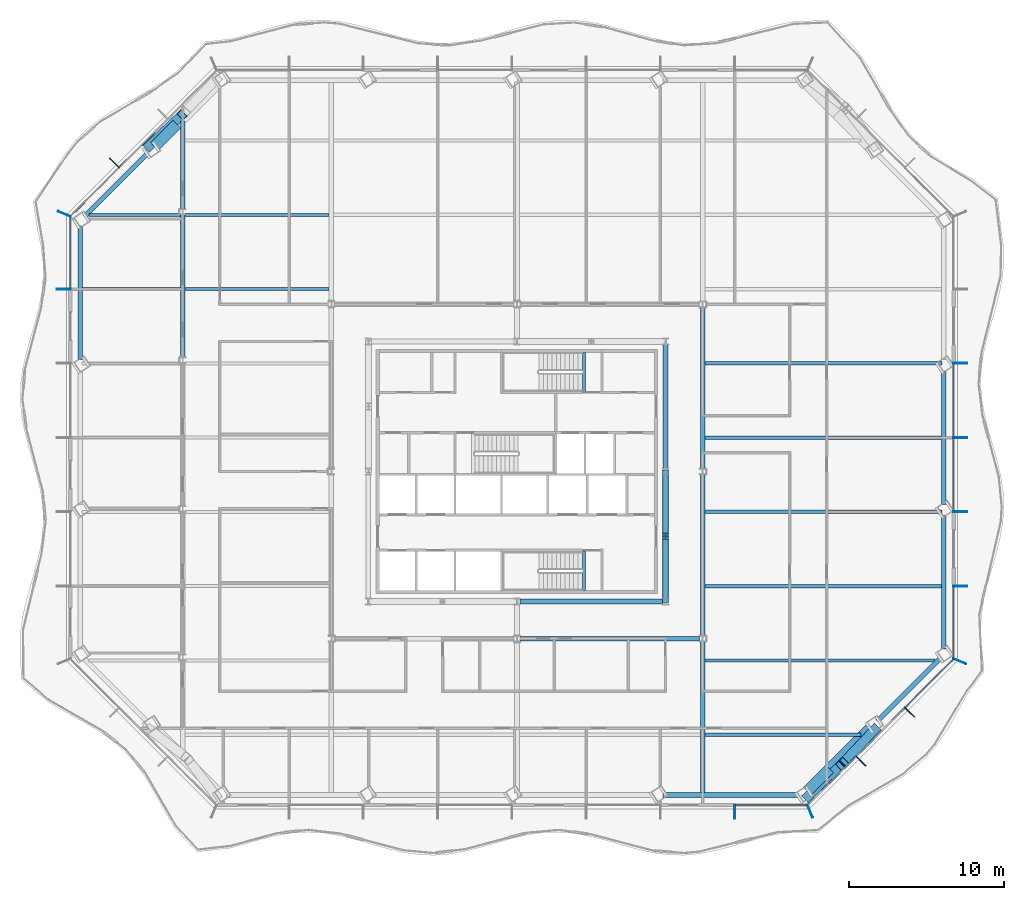
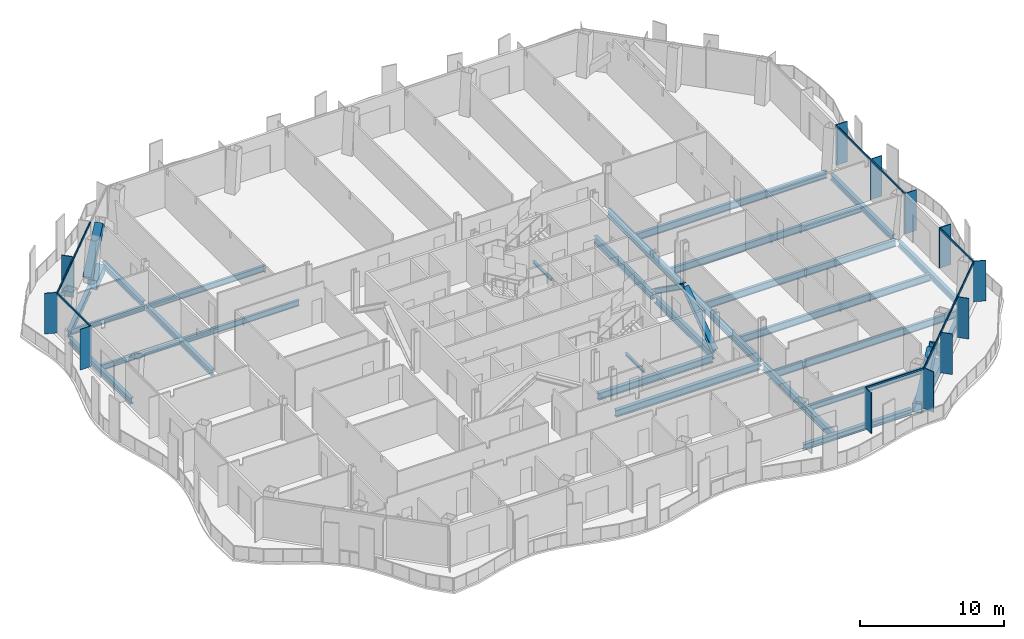
# One storey, part 4 of 22: 30 beams, 27 members, 5 elements without a shape of their own.
"""IFC4 building model written with IfcOpenShell, lengths in metres."""

from ifc_helpers import new_model, si_unit, direction, frame, origin, origin_2d, place, context, subcontext, project, spatial, rectangle, hollow_rectangle, i_section, extrude, material, material_profile, profile_set, type_object, element, aggregate, save


model = new_model("IFC4")

# Units and contexts
model_context = context("Model", 3, precision=1e-05, world=origin(), true_north=direction((0.0, 1.0)))
body_context = subcontext(model_context, "Body", "Model", "MODEL_VIEW")
ifc_project = project(units=[si_unit("LENGTHUNIT", "METRE"), si_unit("AREAUNIT", "SQUARE_METRE"), si_unit("VOLUMEUNIT", "CUBIC_METRE"), si_unit("PLANEANGLEUNIT", "RADIAN"), si_unit("MASSUNIT", "GRAM", prefix="KILO")], contexts=[model_context])

# Site, building, storey
site_placement = place(None, origin())
site = spatial("IfcSite", under=ifc_project, at=site_placement, CompositionType="ELEMENT")
building_placement = place(site_placement, origin())
building = spatial("IfcBuilding", under=site, at=building_placement, Name="Cairn Pilgrim Tower", CompositionType="ELEMENT")
storey_placement = place(building_placement, frame((0.0, 0.0, 112.199951171875)))
storey = spatial("IfcBuildingStorey", under=building, at=storey_placement, Name="L27", CompositionType="ELEMENT", Elevation=112.199951171875)

# Members
ifc_material_1 = material(Name="Structural steel S460M", Category="steel")
ifc_material_profile_1 = material_profile(ifc_material_1, hollow_rectangle(XDim=0.60009765625, YDim=0.60009765625, WallThickness=0.034912109375, at=origin_2d()), Name="BOX 600x600x35")
ifc_profile_set_1 = profile_set([ifc_material_profile_1], Name="Structural steel S460M")
member_type_1 = type_object("IfcMemberType", Name="BOX 600x600x35 BRACE", PredefinedType="BRACE", material=ifc_profile_set_1)
for number, where, z_axis, x_axis, name in (
    (1, (25.95068359375, -18.64453125, 0.150146484375), (0.543811951151, 0.515515845573, 0.662202366916), (-0.687973594381, 0.725735718725, 0.0), "XB-SE1-SE2-1"),
    (2, (30.373779296875, -14.22119140625, 0.150146484375), (-0.51547087325, -0.543829121148, 0.662223274902), (0.725776529566, -0.68793054092, 0.0), "XB-SE1-SE2-2"),
):
    element("IfcMember", number, at=place(storey_placement, frame(where, z_axis=z_axis, x_axis=x_axis)), inside=storey, type_object=member_type_1, Name=name, PredefinedType="BRACE", context=body_context, shape_type="SweptSolid", body=[
        extrude(hollow_rectangle(XDim=0.60009765625, YDim=0.60009765625, WallThickness=0.034912109375, at=origin_2d()), origin(), (0.0, 0.0, 1.0), 3.986083984375),
    ])
member_1_placement = place(storey_placement, frame((-16.614990234375, 23.393798828125, 0.150146484375), z_axis=(0.543800478802, 0.515538336643, 0.662194278672), x_axis=(-0.68799704673, 0.72571348595, 0.0)))
element("IfcMember", 3, at=member_1_placement, inside=storey, type_object=member_type_1, Name="XB-NW1-NW2-2", PredefinedType="BRACE", context=body_context, shape_type="SweptSolid", body=[
    extrude(hollow_rectangle(XDim=0.60009765625, YDim=0.60009765625, WallThickness=0.034912109375, at=origin_2d()), origin(), (0.0, 0.0, 1.0), 3.9736328125),
])

# Beams
ifc_material_2 = material(Name="Structural steel S355J2", Category="steel")
ifc_material_profile_2 = material_profile(ifc_material_2, hollow_rectangle(XDim=0.699951171875, YDim=0.800048828125, WallThickness=0.0400390625, at=origin_2d()), Name="BOX 700x800x40")
ifc_profile_set_2 = profile_set([ifc_material_profile_2], Name="Structural steel S355J2")
beam_type_1 = type_object("IfcBeamType", Name="BOX 700x800x40 RING GIRDER", PredefinedType="SPANDREL", material=ifc_profile_set_2)
beam_1_placement = place(storey_placement, frame((25.961181640625, -18.259033203125, -0.550048828125), z_axis=(0.707106781187, 0.707106781187, 0.0), x_axis=(-0.707106781187, 0.707106781187, 0.0)))
element("IfcBeam", 4, at=beam_1_placement, inside=storey, type_object=beam_type_1, Name="RG1-SE1-SE2-1", PredefinedType="SPANDREL", context=body_context, shape_type="SweptSolid", body=[
    extrude(hollow_rectangle(XDim=0.699951171875, YDim=0.800048828125, WallThickness=0.0400390625, at=origin_2d()), origin(), (0.0, 0.0, 1.0), 2.037109375),
])
beam_2_placement = place(storey_placement, frame((27.401611328125, -16.818603515625, -0.550048828125), z_axis=(0.707106781187, 0.707106781187, 0.0), x_axis=(-0.707106781187, 0.707106781187, 0.0)))
element("IfcBeam", 5, at=beam_2_placement, inside=storey, type_object=beam_type_1, Name="RG1-SE1-SE2-2", PredefinedType="SPANDREL", context=body_context, shape_type="SweptSolid", body=[
    extrude(hollow_rectangle(XDim=0.699951171875, YDim=0.800048828125, WallThickness=0.0400390625, at=origin_2d()), origin(), (0.0, 0.0, 1.0), 3.658447265625),
])
beam_3_placement = place(storey_placement, frame((-14.7890625, 24.844970703125, -0.550048828125), z_axis=(-0.707106781187, -0.707106781187, 0.0), x_axis=(0.707106781187, -0.707106781187, 0.0)))
element("IfcBeam", 6, at=beam_3_placement, inside=storey, type_object=beam_type_1, Name="RG1-NW1-NW2-2", PredefinedType="SPANDREL", context=body_context, shape_type="SweptSolid", body=[
    extrude(hollow_rectangle(XDim=0.699951171875, YDim=0.800048828125, WallThickness=0.0400390625, at=origin_2d()), origin(), (0.0, 0.0, 1.0), 2.037109375),
])

# Curtain wall, member
ifc_material_3 = material(Name="Aluminium alloy 6063-T6 bronze anodised with Bronze tinted laminated low-E glass 8+16+8.8", Category="aluminium")
curtain_wall_type_1 = type_object("IfcCurtainWallType", Name="TOWER STICK CURTAIN WALL NS", PredefinedType="NOTDEFINED", material=ifc_material_3)
curtain_wall_1_placement = place(storey_placement, origin())
curtain_wall_1 = element("IfcCurtainWall", 7, at=curtain_wall_1_placement, inside=storey, type_object=curtain_wall_type_1, Name="Tower Stick Curtain Wall Ns S", PredefinedType="NOTDEFINED")
ifc_material_4 = material(Name="Aluminium alloy 6063-T6 bronze anodised", Category="aluminium")
ifc_material_profile_3 = material_profile(ifc_material_4, rectangle(XDim=0.89990234375, YDim=0.06005859375, at=origin_2d()), Name="FIN MULLION 60x900 BRONZE")
ifc_profile_set_3 = profile_set([ifc_material_profile_3], Name="Aluminium alloy 6063-T6 bronze anodised")
member_type_2 = type_object("IfcMemberType", Name="FIN MULLION 60x900 BRONZE", PredefinedType="MULLION", material=ifc_profile_set_3)
member_2_placement = place(storey_placement, frame((21.279541015625, -19.583740234375, 0.0), z_axis=(0.0, 0.0, 1.0), x_axis=(0.0, -1.0, 0.0)))
member_2 = element("IfcMember", 8, at=member_2_placement, type_object=member_type_2, Name="Fin mullion S8", PredefinedType="MULLION", context=body_context, shape_type="SweptSolid", body=[
    extrude(rectangle(XDim=0.89990234375, YDim=0.06005859375, at=origin_2d()), origin(), (0.0, 0.0, 1.0), 3.449951171875),
])

# Curtain wall, members
curtain_wall_type_2 = type_object("IfcCurtainWallType", Name="CHAMFER CORNER CURTAIN WALL", PredefinedType="NOTDEFINED", material=ifc_material_3)
curtain_wall_2_placement = place(storey_placement, origin())
curtain_wall_2 = element("IfcCurtainWall", 9, at=curtain_wall_2_placement, inside=storey, type_object=curtain_wall_type_2, Name="Chamfer Corner Curtain Wall SE", PredefinedType="NOTDEFINED")
member_3_placement = place(storey_placement, frame((26.13671875, -19.5517578125, 0.0), z_axis=(0.0, 0.0, 1.0), x_axis=(0.382683432365, -0.923879532511, 0.0)))
member_3 = element("IfcMember", 10, at=member_3_placement, type_object=member_type_2, Name="Fin mullion SE1", PredefinedType="MULLION", context=body_context, shape_type="SweptSolid", body=[
    extrude(rectangle(XDim=0.89990234375, YDim=0.06005859375, at=origin_2d()), origin(), (0.0, 0.0, 1.0), 3.449951171875),
])
member_4_placement = place(storey_placement, frame((29.424072265625, -16.3095703125, 0.0), z_axis=(0.0, 0.0, 1.0), x_axis=(0.707106781187, -0.707106781187, 0.0)))
member_4 = element("IfcMember", 11, at=member_4_placement, type_object=member_type_2, Name="Fin mullion SE2", PredefinedType="MULLION", context=body_context, shape_type="SweptSolid", body=[
    extrude(rectangle(XDim=0.89990234375, YDim=0.06005859375, at=origin_2d()), origin(), (0.0, 0.0, 1.0), 3.449951171875),
])
member_5_placement = place(storey_placement, frame((32.5751953125, -13.158203125, 0.0), z_axis=(0.0, 0.0, 1.0), x_axis=(0.707106781187, -0.707106781187, 0.0)))
member_5 = element("IfcMember", 12, at=member_5_placement, type_object=member_type_2, Name="Fin mullion SE3", PredefinedType="MULLION", context=body_context, shape_type="SweptSolid", body=[
    extrude(rectangle(XDim=0.89990234375, YDim=0.06005859375, at=origin_2d()), origin(), (0.0, 0.0, 1.0), 3.449951171875),
])

curtain_wall_type_3 = type_object("IfcCurtainWallType", Name="TOWER STICK CURTAIN WALL EW", PredefinedType="NOTDEFINED", material=ifc_material_3)
curtain_wall_3_placement = place(storey_placement, origin())
curtain_wall_3 = element("IfcCurtainWall", 13, at=curtain_wall_3_placement, inside=storey, type_object=curtain_wall_type_3, Name="Tower Stick Curtain Wall Ew E", PredefinedType="NOTDEFINED")
member_6_placement = place(storey_placement, frame((35.817626953125, -9.870849609375, 0.0), z_axis=(0.0, 0.0, 1.0), x_axis=(0.923879532511, -0.382683432365, 0.0)))
member_6 = element("IfcMember", 14, at=member_6_placement, type_object=member_type_2, Name="Fin mullion E1", PredefinedType="MULLION", context=body_context, shape_type="SweptSolid", body=[
    extrude(rectangle(XDim=0.89990234375, YDim=0.06005859375, at=origin_2d()), origin(), (0.0, 0.0, 1.0), 3.449951171875),
])
member_7_placement = place(storey_placement, frame((35.849609375, -5.013671875, 0.0), z_axis=(0.0, 0.0, 1.0), x_axis=(1.0, 0.0, 0.0)))
member_7 = element("IfcMember", 15, at=member_7_placement, type_object=member_type_2, Name="Fin mullion E2", PredefinedType="MULLION", context=body_context, shape_type="SweptSolid", body=[
    extrude(rectangle(XDim=0.89990234375, YDim=0.06005859375, at=origin_2d()), origin(), (0.0, 0.0, 1.0), 3.449951171875),
])
member_8_placement = place(storey_placement, frame((35.849609375, -0.213623046875, 0.0), z_axis=(0.0, 0.0, 1.0), x_axis=(1.0, 0.0, 0.0)))
member_8 = element("IfcMember", 16, at=member_8_placement, type_object=member_type_2, Name="Fin mullion E3", PredefinedType="MULLION", context=body_context, shape_type="SweptSolid", body=[
    extrude(rectangle(XDim=0.89990234375, YDim=0.06005859375, at=origin_2d()), origin(), (0.0, 0.0, 1.0), 3.449951171875),
])
member_9_placement = place(storey_placement, frame((35.849609375, 4.58642578125, 0.0), z_axis=(0.0, 0.0, 1.0), x_axis=(1.0, 0.0, 0.0)))
member_9 = element("IfcMember", 17, at=member_9_placement, type_object=member_type_2, Name="Fin mullion E4", PredefinedType="MULLION", context=body_context, shape_type="SweptSolid", body=[
    extrude(rectangle(XDim=0.89990234375, YDim=0.06005859375, at=origin_2d()), origin(), (0.0, 0.0, 1.0), 3.449951171875),
])
member_10_placement = place(storey_placement, frame((35.849609375, 9.38623046875, 0.0), z_axis=(0.0, 0.0, 1.0), x_axis=(1.0, 0.0, 0.0)))
member_10 = element("IfcMember", 18, at=member_10_placement, type_object=member_type_2, Name="Fin mullion E5", PredefinedType="MULLION", context=body_context, shape_type="SweptSolid", body=[
    extrude(rectangle(XDim=0.89990234375, YDim=0.06005859375, at=origin_2d()), origin(), (0.0, 0.0, 1.0), 3.449951171875),
])

# Curtain wall, member
curtain_wall_4_placement = place(storey_placement, origin())
curtain_wall_4 = element("IfcCurtainWall", 19, at=curtain_wall_4_placement, inside=storey, type_object=curtain_wall_type_2, Name="Chamfer Corner Curtain Wall NW", PredefinedType="NOTDEFINED")
member_11_placement = place(storey_placement, frame((-18.81640625, 22.3310546875, 0.0), z_axis=(0.0, 0.0, 1.0), x_axis=(-0.707106781187, 0.707106781187, 0.0)))
member_11 = element("IfcMember", 20, at=member_11_placement, type_object=member_type_2, Name="Fin mullion NW3", PredefinedType="MULLION", context=body_context, shape_type="SweptSolid", body=[
    extrude(rectangle(XDim=0.89990234375, YDim=0.06005859375, at=origin_2d()), origin(), (0.0, 0.0, 1.0), 3.449951171875),
])

# Curtain wall, members
curtain_wall_5_placement = place(storey_placement, origin())
curtain_wall_5 = element("IfcCurtainWall", 21, at=curtain_wall_5_placement, inside=storey, type_object=curtain_wall_type_3, Name="Tower Stick Curtain Wall Ew W", PredefinedType="NOTDEFINED")
member_12_placement = place(storey_placement, frame((-22.05859375, 19.04345703125, 0.0), z_axis=(0.0, 0.0, 1.0), x_axis=(-0.923879532511, 0.382683432365, 0.0)))
member_12 = element("IfcMember", 22, at=member_12_placement, type_object=member_type_2, Name="Fin mullion W1", PredefinedType="MULLION", context=body_context, shape_type="SweptSolid", body=[
    extrude(rectangle(XDim=0.89990234375, YDim=0.06005859375, at=origin_2d()), origin(), (0.0, 0.0, 1.0), 3.449951171875),
])
member_13_placement = place(storey_placement, frame((-22.090576171875, 14.186279296875, 0.0), z_axis=(0.0, 0.0, 1.0), x_axis=(-1.0, 0.0, 0.0)))
member_13 = element("IfcMember", 23, at=member_13_placement, type_object=member_type_2, Name="Fin mullion W2", PredefinedType="MULLION", context=body_context, shape_type="SweptSolid", body=[
    extrude(rectangle(XDim=0.89990234375, YDim=0.06005859375, at=origin_2d()), origin(), (0.0, 0.0, 1.0), 3.449951171875),
])

# Members
ifc_material_profile_4 = material_profile(ifc_material_1, i_section(OverallWidth=0.408935546875, OverallDepth=0.425048828125, WebThickness=0.03271484375, FlangeThickness=0.052490234375, FilletRadius=0.014892578125, at=origin_2d()), Name="HD 400x421")
ifc_profile_set_4 = profile_set([ifc_material_profile_4], Name="Structural steel S460M")
member_type_3 = type_object("IfcMemberType", Name="HD 400x421 BRACE", PredefinedType="BRACE", material=ifc_profile_set_4)
for number, where, z_axis, x_axis, name in (
    (24, (16.800048828125, -5.95751953125, 0.10009765625), (0.0, 0.814281054922, 0.58047081201), (-1.0, 0.0, 0.0), "KB-2A"),
    (25, (16.800048828125, 2.357666015625, 0.10009765625), (0.0, -0.814281054922, 0.58047081201), (1.0, 0.0, 0.0), "KB-2B"),
):
    element("IfcMember", number, at=place(storey_placement, frame(where, z_axis=z_axis, x_axis=x_axis)), inside=storey, type_object=member_type_3, Name=name, PredefinedType="BRACE", context=body_context, shape_type="SweptSolid", body=[
        extrude(i_section(OverallWidth=0.408935546875, OverallDepth=0.425048828125, WebThickness=0.03271484375, FlangeThickness=0.052490234375, FilletRadius=0.014892578125, at=origin_2d()), origin(), (0.0, 0.0, 1.0), 4.99755859375),
    ])

# Beams
ifc_material_profile_5 = material_profile(ifc_material_2, i_section(OverallWidth=0.300048828125, OverallDepth=0.5, WebThickness=0.014404296875, FlangeThickness=0.028076171875, FilletRadius=0.027099609375, at=origin_2d()), Name="HEB 500")
ifc_profile_set_5 = profile_set([ifc_material_profile_5], Name="Structural steel S355J2")
beam_type_2 = type_object("IfcBeamType", Name="HEB 500 GIRDER", PredefinedType="BEAM", material=ifc_profile_set_5)
beam_4_placement = place(storey_placement, frame((-14.39990234375, 9.799560546875, -0.39990234375), z_axis=(0.0, 1.0, 0.0), x_axis=(-1.0, 0.0, 0.0)))
element("IfcBeam", 26, at=beam_4_placement, inside=storey, type_object=beam_type_2, Name="PG1-4", PredefinedType="BEAM", context=body_context, shape_type="SweptSolid", body=[
    extrude(i_section(OverallWidth=0.300048828125, OverallDepth=0.5, WebThickness=0.014404296875, FlangeThickness=0.028076171875, FilletRadius=0.027099609375, at=origin_2d()), origin(), (0.0, 0.0, 1.0), 9.200927734375),
])
beam_5_placement = place(storey_placement, frame((-14.39990234375, 19.3994140625, -0.39990234375), z_axis=(0.0, 1.0, 0.0), x_axis=(-1.0, 0.0, 0.0)))
element("IfcBeam", 27, at=beam_5_placement, inside=storey, type_object=beam_type_2, Name="PG1-5", PredefinedType="BEAM", context=body_context, shape_type="SweptSolid", body=[
    extrude(i_section(OverallWidth=0.300048828125, OverallDepth=0.5, WebThickness=0.014404296875, FlangeThickness=0.028076171875, FilletRadius=0.027099609375, at=origin_2d()), origin(), (0.0, 0.0, 1.0), 5.652587890625),
])
ifc_material_profile_6 = material_profile(ifc_material_2, i_section(OverallWidth=0.300048828125, OverallDepth=0.5, WebThickness=0.014404296875, FlangeThickness=0.028076171875, FilletRadius=0.027099609375, at=origin_2d()), Name="HEB 500")
ifc_profile_set_6 = profile_set([ifc_material_profile_6], Name="Structural steel S355J2")
beam_type_3 = type_object("IfcBeamType", Name="HEB 500 RING GIRDER", PredefinedType="SPANDREL", material=ifc_profile_set_6)
beam_6_placement = place(storey_placement, frame((16.653076171875, -18.513671875, -0.39990234375), z_axis=(1.0, 0.0, 0.0), x_axis=(0.0, 1.0, 0.0)))
element("IfcBeam", 28, at=beam_6_placement, inside=storey, type_object=beam_type_3, Name="RG1-S4-SE1", PredefinedType="SPANDREL", context=body_context, shape_type="SweptSolid", body=[
    extrude(i_section(OverallWidth=0.300048828125, OverallDepth=0.5, WebThickness=0.014404296875, FlangeThickness=0.028076171875, FilletRadius=0.027099609375, at=origin_2d()), origin(), (0.0, 0.0, 1.0), 8.693603515625),
])
beam_7_placement = place(storey_placement, frame((30.497802734375, -13.72265625, -0.39990234375), z_axis=(0.707085347538, 0.707128214185, 0.0), x_axis=(-0.707128214185, 0.707085347538, 0.0)))
element("IfcBeam", 29, at=beam_7_placement, inside=storey, type_object=beam_type_3, Name="RG1-SE2-E1", PredefinedType="SPANDREL", context=body_context, shape_type="SweptSolid", body=[
    extrude(i_section(OverallWidth=0.300048828125, OverallDepth=0.5, WebThickness=0.014404296875, FlangeThickness=0.028076171875, FilletRadius=0.027099609375, at=origin_2d()), origin(), (0.0, 0.0, 1.0), 5.6953125),
])
beam_8_placement = place(storey_placement, frame((34.779541015625, -9.080810546875, -0.39990234375), z_axis=(0.0, 1.0, 0.0), x_axis=(-1.0, 0.0, 0.0)))
element("IfcBeam", 30, at=beam_8_placement, inside=storey, type_object=beam_type_3, Name="RG1-E1-E2", PredefinedType="SPANDREL", context=body_context, shape_type="SweptSolid", body=[
    extrude(i_section(OverallWidth=0.300048828125, OverallDepth=0.5, WebThickness=0.014404296875, FlangeThickness=0.028076171875, FilletRadius=0.027099609375, at=origin_2d()), origin(), (0.0, 0.0, 1.0), 8.63134765625),
])
beam_9_placement = place(storey_placement, frame((34.779541015625, 0.2705078125, -0.39990234375), z_axis=(0.0, 1.0, 0.0), x_axis=(-1.0, 0.0, 0.0)))
element("IfcBeam", 31, at=beam_9_placement, inside=storey, type_object=beam_type_3, Name="RG1-E2-E3", PredefinedType="SPANDREL", context=body_context, shape_type="SweptSolid", body=[
    extrude(i_section(OverallWidth=0.300048828125, OverallDepth=0.5, WebThickness=0.014404296875, FlangeThickness=0.028076171875, FilletRadius=0.027099609375, at=origin_2d()), origin(), (0.0, 0.0, 1.0), 8.631591796875),
])
beam_10_placement = place(storey_placement, frame((-16.73876953125, 22.8955078125, -0.39990234375), z_axis=(-0.707085347538, -0.707128214185, 0.0), x_axis=(0.707128214185, -0.707085347538, 0.0)))
element("IfcBeam", 32, at=beam_10_placement, inside=storey, type_object=beam_type_3, Name="RG1-NW2-W1", PredefinedType="SPANDREL", context=body_context, shape_type="SweptSolid", body=[
    extrude(i_section(OverallWidth=0.300048828125, OverallDepth=0.5, WebThickness=0.014404296875, FlangeThickness=0.028076171875, FilletRadius=0.027099609375, at=origin_2d()), origin(), (0.0, 0.0, 1.0), 5.6953125),
])
beam_11_placement = place(storey_placement, frame((-21.0205078125, 18.25341796875, -0.39990234375), z_axis=(0.0, -1.0, 0.0), x_axis=(1.0, 0.0, 0.0)))
element("IfcBeam", 33, at=beam_11_placement, inside=storey, type_object=beam_type_3, Name="RG1-W1-W2", PredefinedType="SPANDREL", context=body_context, shape_type="SweptSolid", body=[
    extrude(i_section(OverallWidth=0.300048828125, OverallDepth=0.5, WebThickness=0.014404296875, FlangeThickness=0.028076171875, FilletRadius=0.027099609375, at=origin_2d()), origin(), (0.0, 0.0, 1.0), 8.63134765625),
])
ifc_material_profile_7 = material_profile(ifc_material_2, i_section(OverallWidth=0.300048828125, OverallDepth=0.60009765625, WebThickness=0.015380859375, FlangeThickness=0.030029296875, FilletRadius=0.027099609375, at=origin_2d()), Name="HEB 600")
ifc_profile_set_7 = profile_set([ifc_material_profile_7], Name="Structural steel S355J2")
beam_type_4 = type_object("IfcBeamType", Name="HEB 600 CORE BEAM", PredefinedType="BEAM", material=ifc_profile_set_7)
beam_12_placement = place(storey_placement, frame((7.390869140625, -6.0, -0.449951171875), z_axis=(1.0, 0.0, 0.0), x_axis=(0.0, 1.0, 0.0)))
element("IfcBeam", 34, at=beam_12_placement, inside=storey, type_object=beam_type_4, Name="CB-2", PredefinedType="BEAM", context=body_context, shape_type="SweptSolid", body=[
    extrude(i_section(OverallWidth=0.300048828125, OverallDepth=0.60009765625, WebThickness=0.015380859375, FlangeThickness=0.030029296875, FilletRadius=0.027099609375, at=origin_2d()), origin(), (0.0, 0.0, 1.0), 9.21826171875),
])
for number, where, z_axis, x_axis, name in (
    (35, (16.800048828125, -5.80908203125, -0.449951171875), (0.0, 1.0, 0.0), (-1.0, 0.0, 0.0), "CB-3"),
    (36, (16.800048828125, 2.5908203125, -0.449951171875), (0.0, 1.0, 0.0), (-1.0, 0.0, 0.0), "CB-4"),
):
    element("IfcBeam", number, at=place(storey_placement, frame(where, z_axis=z_axis, x_axis=x_axis)), inside=storey, type_object=beam_type_4, Name=name, PredefinedType="BEAM", context=body_context, shape_type="SweptSolid", body=[
        extrude(i_section(OverallWidth=0.300048828125, OverallDepth=0.60009765625, WebThickness=0.015380859375, FlangeThickness=0.030029296875, FilletRadius=0.027099609375, at=origin_2d()), origin(), (0.0, 0.0, 1.0), 8.018310546875),
    ])
ifc_material_profile_8 = material_profile(ifc_material_2, i_section(OverallWidth=0.300048828125, OverallDepth=0.60009765625, WebThickness=0.015380859375, FlangeThickness=0.030029296875, FilletRadius=0.027099609375, at=origin_2d()), Name="HEB 600")
ifc_profile_set_8 = profile_set([ifc_material_profile_8], Name="Structural steel S355J2")
beam_type_5 = type_object("IfcBeamType", Name="HEB 600 GIRDER", PredefinedType="BEAM", material=ifc_profile_set_8)
beam_13_placement = place(storey_placement, frame((19.199951171875, -18.393798828125, -0.449951171875), z_axis=(0.0, 1.0, 0.0), x_axis=(-1.0, 0.0, 0.0)))
element("IfcBeam", 37, at=beam_13_placement, inside=storey, type_object=beam_type_5, Name="PG4-1", PredefinedType="BEAM", context=body_context, shape_type="SweptSolid", body=[
    extrude(i_section(OverallWidth=0.300048828125, OverallDepth=0.60009765625, WebThickness=0.015380859375, FlangeThickness=0.030029296875, FilletRadius=0.027099609375, at=origin_2d()), origin(), (0.0, 0.0, 1.0), 9.789306640625),
])
for number, where, z_axis, x_axis, name in (
    (38, (19.199951171875, -8.195556640625, -0.449951171875), (0.0, 1.0, 0.0), (-1.0, 0.0, 0.0), "PG4-2"),
    (39, (19.199951171875, 2.6044921875, -0.449951171875), (0.0, 1.0, 0.0), (-1.0, 0.0, 0.0), "PG4-3"),
):
    element("IfcBeam", number, at=place(storey_placement, frame(where, z_axis=z_axis, x_axis=x_axis)), inside=storey, type_object=beam_type_5, Name=name, PredefinedType="BEAM", context=body_context, shape_type="SweptSolid", body=[
        extrude(i_section(OverallWidth=0.300048828125, OverallDepth=0.60009765625, WebThickness=0.015380859375, FlangeThickness=0.030029296875, FilletRadius=0.027099609375, at=origin_2d()), origin(), (0.0, 0.0, 1.0), 10.39111328125),
    ])
ifc_material_profile_9 = material_profile(ifc_material_2, i_section(OverallWidth=0.300048828125, OverallDepth=0.60009765625, WebThickness=0.015380859375, FlangeThickness=0.030029296875, FilletRadius=0.027099609375, at=origin_2d()), Name="HEB 600")
ifc_profile_set_9 = profile_set([ifc_material_profile_9], Name="Structural steel S355J2")
beam_type_6 = type_object("IfcBeamType", Name="HEB 600 INNER GIRDER", PredefinedType="BEAM", material=ifc_profile_set_9)
beam_14_placement = place(storey_placement, frame((7.404541015625, -8.39990234375, -0.449951171875), z_axis=(1.0, 0.0, 0.0), x_axis=(0.0, 1.0, 0.0)))
element("IfcBeam", 40, at=beam_14_placement, inside=storey, type_object=beam_type_6, Name="IG1-2", PredefinedType="BEAM", context=body_context, shape_type="SweptSolid", body=[
    extrude(i_section(OverallWidth=0.300048828125, OverallDepth=0.60009765625, WebThickness=0.015380859375, FlangeThickness=0.030029296875, FilletRadius=0.027099609375, at=origin_2d()), origin(), (0.0, 0.0, 1.0), 11.591064453125),
])
ifc_material_profile_10 = material_profile(ifc_material_2, i_section(OverallWidth=0.18994140625, OverallDepth=0.449951171875, WebThickness=0.009521484375, FlangeThickness=0.0146484375, FilletRadius=0.02099609375, at=origin_2d()), Name="IPE 450")
ifc_profile_set_10 = profile_set([ifc_material_profile_10], Name="Structural steel S355J2")
beam_type_7 = type_object("IfcBeamType", Name="IPE 450 SECONDARY BEAM", PredefinedType="JOIST", material=ifc_profile_set_10)
beam_15_placement = place(storey_placement, frame((-20.900390625, 14.186279296875, -0.375), z_axis=(1.0, 0.0, 0.0), x_axis=(0.0, 1.0, 0.0)))
element("IfcBeam", 41, at=beam_15_placement, inside=storey, type_object=beam_type_7, Name="SB7-1", PredefinedType="JOIST", context=body_context, shape_type="SweptSolid", body=[
    extrude(i_section(OverallWidth=0.18994140625, OverallDepth=0.449951171875, WebThickness=0.009521484375, FlangeThickness=0.0146484375, FilletRadius=0.02099609375, at=origin_2d()), origin(), (0.0, 0.0, 1.0), 6.350341796875),
])
beam_16_placement = place(storey_placement, frame((-20.465576171875, 18.986328125, -0.375), z_axis=(1.0, 0.0, 0.0), x_axis=(0.0, 1.0, 0.0)))
element("IfcBeam", 42, at=beam_16_placement, inside=storey, type_object=beam_type_7, Name="SB8-1", PredefinedType="JOIST", context=body_context, shape_type="SweptSolid", body=[
    extrude(i_section(OverallWidth=0.18994140625, OverallDepth=0.449951171875, WebThickness=0.009521484375, FlangeThickness=0.0146484375, FilletRadius=0.02099609375, at=origin_2d()), origin(), (0.0, 0.0, 1.0), 5.91552734375),
])
ifc_material_profile_11 = material_profile(ifc_material_2, i_section(OverallWidth=0.199951171875, OverallDepth=0.5, WebThickness=0.01025390625, FlangeThickness=0.01611328125, FilletRadius=0.02099609375, at=origin_2d()), Name="IPE 500")
ifc_profile_set_11 = profile_set([ifc_material_profile_11], Name="Structural steel S355J2")
beam_type_8 = type_object("IfcBeamType", Name="IPE 500 SECONDARY BEAM", PredefinedType="JOIST", material=ifc_profile_set_11)
beam_17_placement = place(storey_placement, frame((19.35009765625, -14.61376953125, -0.39990234375), z_axis=(1.0, 0.0, 0.0), x_axis=(0.0, 1.0, 0.0)))
element("IfcBeam", 43, at=beam_17_placement, inside=storey, type_object=beam_type_8, Name="SB1-4", PredefinedType="JOIST", context=body_context, shape_type="SweptSolid", body=[
    extrude(i_section(OverallWidth=0.199951171875, OverallDepth=0.5, WebThickness=0.01025390625, FlangeThickness=0.01611328125, FilletRadius=0.02099609375, at=origin_2d()), origin(), (0.0, 0.0, 1.0), 10.074462890625),
])
for number, where, z_axis, x_axis, name in (
    (44, (-14.25, 14.186279296875, -0.39990234375), (1.0, 0.0, 0.0), (0.0, 1.0, 0.0), "SB7-2"),
    (45, (-14.25, 18.986328125, -0.39990234375), (1.0, 0.0, 0.0), (0.0, 1.0, 0.0), "SB8-2"),
):
    element("IfcBeam", number, at=place(storey_placement, frame(where, z_axis=z_axis, x_axis=x_axis)), inside=storey, type_object=beam_type_8, Name=name, PredefinedType="JOIST", context=body_context, shape_type="SweptSolid", body=[
        extrude(i_section(OverallWidth=0.199951171875, OverallDepth=0.5, WebThickness=0.01025390625, FlangeThickness=0.01611328125, FilletRadius=0.02099609375, at=origin_2d()), origin(), (0.0, 0.0, 1.0), 9.300048828125),
    ])
ifc_material_profile_12 = material_profile(ifc_material_2, i_section(OverallWidth=0.219970703125, OverallDepth=0.60009765625, WebThickness=0.011962890625, FlangeThickness=0.01904296875, FilletRadius=0.02392578125, at=origin_2d()), Name="IPE 600")
ifc_profile_set_12 = profile_set([ifc_material_profile_12], Name="Structural steel S355J2")
beam_type_9 = type_object("IfcBeamType", Name="IPE 600 SECONDARY BEAM", PredefinedType="JOIST", material=ifc_profile_set_12)
beam_18_placement = place(storey_placement, frame((19.35009765625, -9.813720703125, -0.449951171875), z_axis=(1.0, 0.0, 0.0), x_axis=(0.0, 1.0, 0.0)))
element("IfcBeam", 46, at=beam_18_placement, inside=storey, type_object=beam_type_9, Name="SB2-3", PredefinedType="JOIST", context=body_context, shape_type="SweptSolid", body=[
    extrude(i_section(OverallWidth=0.219970703125, OverallDepth=0.60009765625, WebThickness=0.011962890625, FlangeThickness=0.01904296875, FilletRadius=0.02392578125, at=origin_2d()), origin(), (0.0, 0.0, 1.0), 14.87451171875),
])
for number, where, z_axis, x_axis, name in (
    (47, (19.35009765625, -5.013671875, -0.449951171875), (1.0, 0.0, 0.0), (0.0, 1.0, 0.0), "SB3-3"),
    (48, (19.35009765625, -0.213623046875, -0.449951171875), (1.0, 0.0, 0.0), (0.0, 1.0, 0.0), "SB4-3"),
    (49, (19.35009765625, 4.586181640625, -0.449951171875), (1.0, 0.0, 0.0), (0.0, 1.0, 0.0), "SB5-3"),
    (50, (19.35009765625, 9.38623046875, -0.449951171875), (1.0, 0.0, 0.0), (0.0, 1.0, 0.0), "SB6-3"),
):
    element("IfcBeam", number, at=place(storey_placement, frame(where, z_axis=z_axis, x_axis=x_axis)), inside=storey, type_object=beam_type_9, Name=name, PredefinedType="JOIST", context=body_context, shape_type="SweptSolid", body=[
        extrude(i_section(OverallWidth=0.219970703125, OverallDepth=0.60009765625, WebThickness=0.011962890625, FlangeThickness=0.01904296875, FilletRadius=0.02392578125, at=origin_2d()), origin(), (0.0, 0.0, 1.0), 15.309326171875),
    ])
ifc_material_profile_13 = material_profile(ifc_material_2, i_section(OverallWidth=0.199951171875, OverallDepth=0.199951171875, WebThickness=0.009033203125, FlangeThickness=0.014892578125, FilletRadius=0.01806640625, at=origin_2d()), Name="HE 200 B")
ifc_profile_set_13 = profile_set([ifc_material_profile_13], Name="Structural steel S355J2")
beam_type_10 = type_object("IfcBeamType", Name="STAIR LANDING BEAM HE 200 B", PredefinedType="BEAM", material=ifc_profile_set_13)
for number, where, z_axis, x_axis, name in (
    (51, (11.5244140625, -2.77490234375, -0.25), (0.0, -1.0, 0.0), (1.0, 0.0, 0.0), "STAIR LANDING BEAM LD-HE200B"),
    (52, (11.5244140625, 10.10009765625, -0.25), (0.0, -1.0, 0.0), (1.0, 0.0, 0.0), "STAIR LANDING BEAM LD-HE200B"),
):
    element("IfcBeam", number, at=place(storey_placement, frame(where, z_axis=z_axis, x_axis=x_axis)), inside=storey, type_object=beam_type_10, Name=name, PredefinedType="BEAM", context=body_context, shape_type="SweptSolid", body=[
        extrude(i_section(OverallWidth=0.199951171875, OverallDepth=0.199951171875, WebThickness=0.009033203125, FlangeThickness=0.014892578125, FilletRadius=0.01806640625, at=origin_2d()), origin(), (0.0, 0.0, 1.0), 2.525146484375),
    ])

# Member
ifc_material_profile_14 = material_profile(ifc_material_4, rectangle(XDim=0.080078125, YDim=0.14990234375, at=origin_2d()), Name="TRANSOM 80x150 BRONZE")
ifc_profile_set_14 = profile_set([ifc_material_profile_14], Name="Aluminium alloy 6063-T6 bronze anodised")
member_type_4 = type_object("IfcMemberType", Name="TRANSOM 80x150 BRONZE", PredefinedType="USERDEFINED", material=ifc_profile_set_14)
member_14_placement = place(storey_placement, frame((21.3095703125, -19.16357421875, 3.375), z_axis=(1.0, 0.0, 0.0), x_axis=(0.0, 1.0, 0.0)))
member_14 = element("IfcMember", 53, at=member_14_placement, type_object=member_type_4, Name="Transom S8", ObjectType="TRANSOM", PredefinedType="USERDEFINED", context=body_context, shape_type="SweptSolid", body=[
    extrude(rectangle(XDim=0.080078125, YDim=0.14990234375, at=origin_2d()), origin(), (0.0, 0.0, 1.0), 4.62646484375),
])

aggregate(curtain_wall_1, [member_2, member_14])

member_15_placement = place(storey_placement, frame((26.004150390625, -19.13525390625, 3.375), z_axis=(0.707134609628, 0.70707895165, 0.0), x_axis=(-0.70707895165, 0.707134609628, 0.0)))
member_15 = element("IfcMember", 54, at=member_15_placement, type_object=member_type_4, Name="Transom SE1", ObjectType="TRANSOM", PredefinedType="USERDEFINED", context=body_context, shape_type="SweptSolid", body=[
    extrude(rectangle(XDim=0.080078125, YDim=0.14990234375, at=origin_2d()), origin(), (0.0, 0.0, 1.0), 4.386474609375),
])

member_16_placement = place(storey_placement, frame((29.1484375, -15.9912109375, 3.375), z_axis=(0.707106781187, 0.707106781187, 0.0), x_axis=(-0.707106781187, 0.707106781187, 0.0)))
member_16 = element("IfcMember", 55, at=member_16_placement, type_object=member_type_4, Name="Transom SE2", ObjectType="TRANSOM", PredefinedType="USERDEFINED", context=body_context, shape_type="SweptSolid", body=[
    extrude(rectangle(XDim=0.080078125, YDim=0.14990234375, at=origin_2d()), origin(), (0.0, 0.0, 1.0), 4.396240234375),
])

member_17_placement = place(storey_placement, frame((32.299560546875, -12.840087890625, 3.375), z_axis=(0.70707895165, 0.707134609628, 0.0), x_axis=(-0.707134609628, 0.70707895165, 0.0)))
member_17 = element("IfcMember", 56, at=member_17_placement, type_object=member_type_4, Name="Transom SE3", ObjectType="TRANSOM", PredefinedType="USERDEFINED", context=body_context, shape_type="SweptSolid", body=[
    extrude(rectangle(XDim=0.080078125, YDim=0.14990234375, at=origin_2d()), origin(), (0.0, 0.0, 1.0), 4.386474609375),
])

aggregate(curtain_wall_2, [member_3, member_4, member_5, member_15, member_16, member_17])

member_18_placement = place(storey_placement, frame((35.429443359375, -9.670166015625, 3.375), z_axis=(0.0, 1.0, 0.0), x_axis=(-1.0, 0.0, 0.0)))
member_18 = element("IfcMember", 57, at=member_18_placement, type_object=member_type_4, Name="Transom E1", ObjectType="TRANSOM", PredefinedType="USERDEFINED", context=body_context, shape_type="SweptSolid", body=[
    extrude(rectangle(XDim=0.080078125, YDim=0.14990234375, at=origin_2d()), origin(), (0.0, 0.0, 1.0), 4.62646484375),
])

member_19_placement = place(storey_placement, frame((35.429443359375, -0.18359375, 3.375), z_axis=(0.0, 1.0, 0.0), x_axis=(-1.0, 0.0, 0.0)))
member_19 = element("IfcMember", 58, at=member_19_placement, type_object=member_type_4, Name="Transom E3", ObjectType="TRANSOM", PredefinedType="USERDEFINED", context=body_context, shape_type="SweptSolid", body=[
    extrude(rectangle(XDim=0.080078125, YDim=0.14990234375, at=origin_2d()), origin(), (0.0, 0.0, 1.0), 4.739990234375),
])

member_20_placement = place(storey_placement, frame((35.429443359375, 4.616455078125, 3.375), z_axis=(0.0, 1.0, 0.0), x_axis=(-1.0, 0.0, 0.0)))
member_20 = element("IfcMember", 59, at=member_20_placement, type_object=member_type_4, Name="Transom E4", ObjectType="TRANSOM", PredefinedType="USERDEFINED", context=body_context, shape_type="SweptSolid", body=[
    extrude(rectangle(XDim=0.080078125, YDim=0.14990234375, at=origin_2d()), origin(), (0.0, 0.0, 1.0), 4.739990234375),
])

aggregate(curtain_wall_3, [member_6, member_7, member_8, member_9, member_10, member_18, member_19, member_20])

member_21_placement = place(storey_placement, frame((-15.389404296875, 25.1640625, 3.375), z_axis=(-0.707079015032, -0.707134546251, 0.0), x_axis=(0.707134546251, -0.707079015032, 0.0)))
member_21 = element("IfcMember", 60, at=member_21_placement, type_object=member_type_4, Name="Transom NW2", ObjectType="TRANSOM", PredefinedType="USERDEFINED", context=body_context, shape_type="SweptSolid", body=[
    extrude(rectangle(XDim=0.080078125, YDim=0.14990234375, at=origin_2d()), origin(), (0.0, 0.0, 1.0), 4.396484375),
])

member_22_placement = place(storey_placement, frame((-18.54052734375, 22.0126953125, 3.375), z_axis=(-0.707106781187, -0.707106781187, 0.0), x_axis=(0.707106781187, -0.707106781187, 0.0)))
member_22 = element("IfcMember", 61, at=member_22_placement, type_object=member_type_4, Name="Transom NW3", ObjectType="TRANSOM", PredefinedType="USERDEFINED", context=body_context, shape_type="SweptSolid", body=[
    extrude(rectangle(XDim=0.080078125, YDim=0.14990234375, at=origin_2d()), origin(), (0.0, 0.0, 1.0), 4.38623046875),
])

aggregate(curtain_wall_4, [member_11, member_21, member_22])

member_23_placement = place(storey_placement, frame((-21.67041015625, 18.8427734375, 3.375), z_axis=(0.0, -1.0, 0.0), x_axis=(1.0, 0.0, 0.0)))
member_23 = element("IfcMember", 62, at=member_23_placement, type_object=member_type_4, Name="Transom W1", ObjectType="TRANSOM", PredefinedType="USERDEFINED", context=body_context, shape_type="SweptSolid", body=[
    extrude(rectangle(XDim=0.080078125, YDim=0.14990234375, at=origin_2d()), origin(), (0.0, 0.0, 1.0), 4.62646484375),
])

aggregate(curtain_wall_5, [member_12, member_13, member_23])

save(model, "model.ifc")
